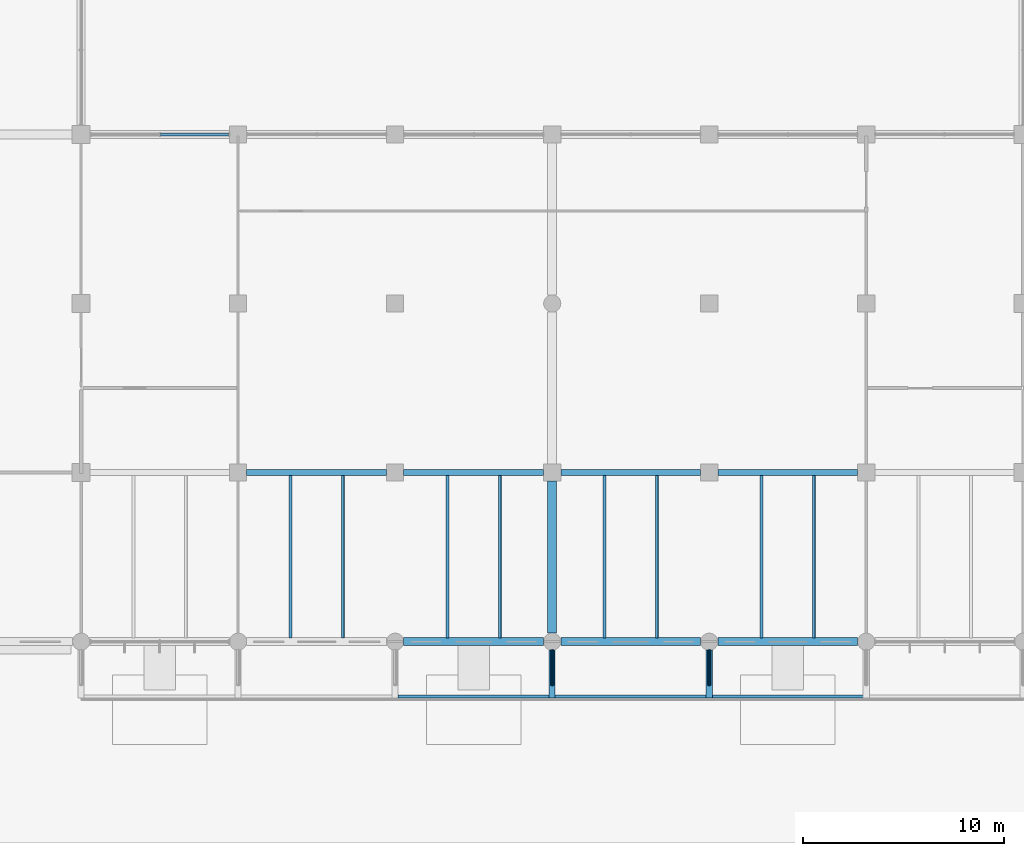
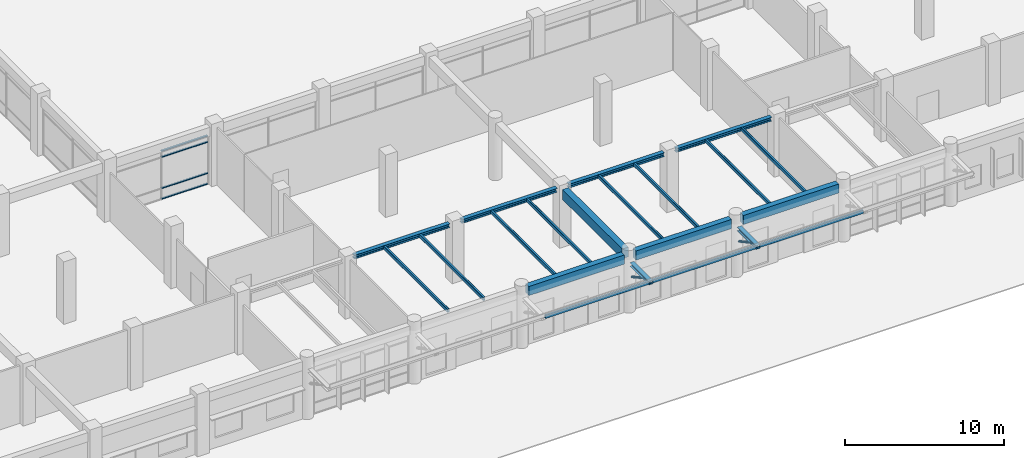
# One storey, part 11 of 74: 21 beams, 6 members, 1 element without a shape of its own.
"""IFC4 building model written with IfcOpenShell, lengths in metres."""

from ifc_helpers import new_model, si_unit, direction, frame, origin, origin_2d, place, context, subcontext, project, spatial, rectangle, hollow_rectangle, hollow_circle, i_section, extrude, material, material_profile, profile_set, type_object, element, aggregate, save


model = new_model("IFC4")

# Units and contexts
model_context = context("Model", 3, precision=1e-05, world=origin(), true_north=direction((0.0, 1.0)))
body_context = subcontext(model_context, "Body", "Model", "MODEL_VIEW")
ifc_project = project(units=[si_unit("LENGTHUNIT", "METRE"), si_unit("AREAUNIT", "SQUARE_METRE"), si_unit("VOLUMEUNIT", "CUBIC_METRE"), si_unit("PLANEANGLEUNIT", "RADIAN"), si_unit("MASSUNIT", "GRAM", prefix="KILO"), si_unit("THERMODYNAMICTEMPERATUREUNIT", "KELVIN"), si_unit("POWERUNIT", "WATT")], contexts=[model_context])

# Site, building, storey
site_placement = place(None, origin())
site = spatial("IfcSite", under=ifc_project, at=site_placement, CompositionType="ELEMENT")
building_placement = place(site_placement, origin())
building = spatial("IfcBuilding", under=site, at=building_placement, Name="Srebrne Nadtorze General Hospital", CompositionType="ELEMENT")
storey_placement = place(building_placement, origin())
storey = spatial("IfcBuildingStorey", under=building, at=storey_placement, Name="L00", CompositionType="ELEMENT", Elevation=0.0)

# Members
ifc_material_1 = material(Name="Steel S355J2", Category="steel")
ifc_material_profile_1 = material_profile(ifc_material_1, hollow_circle(Radius=0.084228515625, WallThickness=0.00634765625, at=origin_2d()), Name="CHS-168.3x6.3")
ifc_profile_set_1 = profile_set([ifc_material_profile_1], Name="Steel S355J2")
member_type_1 = type_object("IfcMemberType", Name="Canopy strut CHS 168.3x6.3", PredefinedType="STRUT", material=ifc_profile_set_1)
for number, where, z_axis, x_axis, name in (
    (1, (78.0, -0.4150390625, 2.75), (0.0, -0.876023229462, 0.482268909887), (1.0, 0.0, 0.0), "South entrance canopy strut 4"),
    (2, (85.800048828125, -0.4150390625, 2.75), (0.0, -0.876023229462, 0.482268909887), (1.0, 0.0, 0.0), "South entrance canopy strut 5"),
):
    element("IfcMember", number, at=place(storey_placement, frame(where, z_axis=z_axis, x_axis=x_axis)), inside=storey, type_object=member_type_1, Name=name, PredefinedType="STRUT", context=body_context, shape_type="SweptSolid", body=[
        extrude(hollow_circle(Radius=0.084228515625, WallThickness=0.00634765625, at=origin_2d()), origin(), (0.0, 0.0, 1.0), 1.98046875),
    ])

# Curtain wall, members
ifc_material_2 = material(Name="Anodised Aluminium", Category="aluminium")
curtain_wall_type = type_object("IfcCurtainWallType", Name="Unitised curtain wall 6925x3750", PredefinedType="NOTDEFINED", material=ifc_material_2)
curtain_wall_placement = place(storey_placement, origin())
curtain_wall = element("IfcCurtainWall", 3, at=curtain_wall_placement, inside=storey, type_object=curtain_wall_type, Name="Curtain wall CW-005", PredefinedType="NOTDEFINED")
ifc_material_3 = material(Name="Anodised Aluminium", Category="aluminium")
ifc_material_profile_2 = material_profile(ifc_material_3, hollow_rectangle(XDim=0.06494140625, YDim=0.139892578125, WallThickness=0.00390625, at=origin_2d()), Name="AL-TRN-65x140")
ifc_profile_set_2 = profile_set([ifc_material_profile_2], Name="Anodised Aluminium")
member_type_2 = type_object("IfcMemberType", Name="Curtain transom 65x140", PredefinedType="USERDEFINED", material=ifc_profile_set_2)
member_1_placement = place(storey_placement, frame((58.544921875, 25.199951171875, 0.032470703125), z_axis=(1.0, 0.0, 0.0), x_axis=(0.0, 0.0, 1.0)))
member_1 = element("IfcMember", 4, at=member_1_placement, type_object=member_type_2, Name="CW-005 transom 2.1", ObjectType="TRANSOM", PredefinedType="USERDEFINED", context=body_context, shape_type="SweptSolid", body=[
    extrude(hollow_rectangle(XDim=0.06494140625, YDim=0.139892578125, WallThickness=0.00390625, at=origin_2d()), origin(), (0.0, 0.0, 1.0), 3.364990234375),
])
member_2_placement = place(storey_placement, frame((58.544921875, 25.199951171875, 0.85009765625), z_axis=(1.0, 0.0, 0.0), x_axis=(0.0, 0.0, 1.0)))
member_2 = element("IfcMember", 5, at=member_2_placement, type_object=member_type_2, Name="CW-005 transom 2.2", ObjectType="TRANSOM", PredefinedType="USERDEFINED", context=body_context, shape_type="SweptSolid", body=[
    extrude(hollow_rectangle(XDim=0.06494140625, YDim=0.139892578125, WallThickness=0.00390625, at=origin_2d()), origin(), (0.0, 0.0, 1.0), 3.364990234375),
])
member_3_placement = place(storey_placement, frame((58.544921875, 25.199951171875, 3.25), z_axis=(1.0, 0.0, 0.0), x_axis=(0.0, 0.0, 1.0)))
member_3 = element("IfcMember", 6, at=member_3_placement, type_object=member_type_2, Name="CW-005 transom 2.3", ObjectType="TRANSOM", PredefinedType="USERDEFINED", context=body_context, shape_type="SweptSolid", body=[
    extrude(hollow_rectangle(XDim=0.06494140625, YDim=0.139892578125, WallThickness=0.00390625, at=origin_2d()), origin(), (0.0, 0.0, 1.0), 3.364990234375),
])
member_4_placement = place(storey_placement, frame((58.544921875, 25.199951171875, 3.717529296875), z_axis=(1.0, 0.0, 0.0), x_axis=(0.0, 0.0, 1.0)))
member_4 = element("IfcMember", 7, at=member_4_placement, type_object=member_type_2, Name="CW-005 transom 2.4", ObjectType="TRANSOM", PredefinedType="USERDEFINED", context=body_context, shape_type="SweptSolid", body=[
    extrude(hollow_rectangle(XDim=0.06494140625, YDim=0.139892578125, WallThickness=0.00390625, at=origin_2d()), origin(), (0.0, 0.0, 1.0), 3.364990234375),
])
aggregate(curtain_wall, [member_1, member_2, member_3, member_4])

# Beams
ifc_material_4 = material(Name="Concrete C40/50", Category="concrete")
ifc_material_profile_3 = material_profile(ifc_material_4, rectangle(XDim=0.39990234375, YDim=0.699951171875, at=origin_2d()), Name="RC-BM-400x700")
ifc_profile_set_3 = profile_set([ifc_material_profile_3], Name="Concrete C40/50")
beam_type_1 = type_object("IfcBeamType", Name="Edge beam RC 400x700", PredefinedType="BEAM", material=ifc_profile_set_3)
for number, where, z_axis, x_axis, name in (
    (8, (70.625, 0.0, 4.10009765625), (1.0, 0.0, 0.0), (0.0, 1.0, 0.0), "Beam BM-L00-X-0187"),
    (9, (78.425048828125, 0.0, 4.10009765625), (1.0, 0.0, 0.0), (0.0, 1.0, 0.0), "Beam BM-L00-X-0188"),
    (10, (86.22509765625, 0.0, 4.10009765625), (1.0, 0.0, 0.0), (0.0, 1.0, 0.0), "Beam BM-L00-X-0189"),
):
    element("IfcBeam", number, at=place(storey_placement, frame(where, z_axis=z_axis, x_axis=x_axis)), inside=storey, type_object=beam_type_1, Name=name, PredefinedType="BEAM", context=body_context, shape_type="SweptSolid", body=[
        extrude(rectangle(XDim=0.39990234375, YDim=0.699951171875, at=origin_2d()), origin(), (0.0, 0.0, 1.0), 6.949951171875),
    ])
ifc_material_5 = material(Name="Steel S355J2", Category="steel")
ifc_material_profile_4 = material_profile(ifc_material_5, hollow_rectangle(XDim=0.14990234375, YDim=0.25, WallThickness=0.010009765625, InnerFilletRadius=0.010009765625, OuterFilletRadius=0.014892578125, at=origin_2d()), Name="RHS-250x150x10")
ifc_profile_set_4 = profile_set([ifc_material_profile_4], Name="Steel S355J2")
beam_type_2 = type_object("IfcBeamType", Name="Hollow canopy beam RHS 250x150x10", PredefinedType="HOLLOWCORE", material=ifc_profile_set_4)
for number, where, z_axis, x_axis, name in (
    (11, (65.0, 0.195068359375, 4.324951171875), (0.0, 1.0, 0.0), (-1.0, 0.0, 0.0), "Hollow canopy beam SH-L00-02-1"),
    (12, (67.60009765625, 0.195068359375, 4.324951171875), (0.0, 1.0, 0.0), (-1.0, 0.0, 0.0), "Hollow canopy beam SH-L00-02-2"),
    (13, (72.800048828125, 0.195068359375, 4.324951171875), (0.0, 1.0, 0.0), (-1.0, 0.0, 0.0), "Hollow canopy beam SH-L00-03-1"),
    (14, (75.39990234375, 0.195068359375, 4.324951171875), (0.0, 1.0, 0.0), (-1.0, 0.0, 0.0), "Hollow canopy beam SH-L00-03-2"),
    (15, (80.60009765625, 0.195068359375, 4.324951171875), (0.0, 1.0, 0.0), (-1.0, 0.0, 0.0), "Hollow canopy beam SH-L00-04-1"),
    (16, (83.199951171875, 0.195068359375, 4.324951171875), (0.0, 1.0, 0.0), (-1.0, 0.0, 0.0), "Hollow canopy beam SH-L00-04-2"),
    (17, (88.39990234375, 0.195068359375, 4.324951171875), (0.0, 1.0, 0.0), (-1.0, 0.0, 0.0), "Hollow canopy beam SH-L00-05-1"),
    (18, (91.0, 0.195068359375, 4.324951171875), (0.0, 1.0, 0.0), (-1.0, 0.0, 0.0), "Hollow canopy beam SH-L00-05-2"),
):
    element("IfcBeam", number, at=place(storey_placement, frame(where, z_axis=z_axis, x_axis=x_axis)), inside=storey, type_object=beam_type_2, Name=name, PredefinedType="HOLLOWCORE", context=body_context, shape_type="SweptSolid", body=[
        extrude(hollow_rectangle(XDim=0.14990234375, YDim=0.25, WallThickness=0.010009765625, InnerFilletRadius=0.010009765625, OuterFilletRadius=0.014892578125, at=origin_2d()), origin(), (0.0, 0.0, 1.0), 8.059814453125),
    ])
for number, where, z_axis, x_axis, name in (
    (19, (70.340087890625, -2.719970703125, 3.77490234375), (1.0, 0.0, 0.0), (0.0, 1.0, 0.0), "South entrance canopy fascia beam 3"),
    (20, (78.139892578125, -2.719970703125, 3.77490234375), (1.0, 0.0, 0.0), (0.0, 1.0, 0.0), "South entrance canopy fascia beam 4"),
    (21, (85.93994140625, -2.719970703125, 3.77490234375), (1.0, 0.0, 0.0), (0.0, 1.0, 0.0), "South entrance canopy fascia beam 5"),
):
    element("IfcBeam", number, at=place(storey_placement, frame(where, z_axis=z_axis, x_axis=x_axis)), inside=storey, type_object=beam_type_2, Name=name, PredefinedType="HOLLOWCORE", context=body_context, shape_type="SweptSolid", body=[
        extrude(hollow_rectangle(XDim=0.14990234375, YDim=0.25, WallThickness=0.010009765625, InnerFilletRadius=0.010009765625, OuterFilletRadius=0.014892578125, at=origin_2d()), origin(), (0.0, 0.0, 1.0), 7.52001953125),
    ])
ifc_material_6 = material(Name="Steel S355J2", Category="steel")
ifc_material_profile_5 = material_profile(ifc_material_6, i_section(OverallWidth=0.300048828125, OverallDepth=0.2900390625, WebThickness=0.008544921875, FlangeThickness=0.013916015625, FilletRadius=0.027099609375, at=origin_2d()), Name="HEA-300")
ifc_profile_set_5 = profile_set([ifc_material_profile_5], Name="Steel S355J2")
beam_type_3 = type_object("IfcBeamType", Name="Primary beam HEA 300", PredefinedType="BEAM", material=ifc_profile_set_5)
for number, where, z_axis, x_axis, name in (
    (22, (62.824951171875, 8.39990234375, 4.304931640625), (1.0, 0.0, 0.0), (0.0, 1.0, 0.0), "Main hall gallery collector beam 2"),
    (23, (70.625, 8.39990234375, 4.304931640625), (1.0, 0.0, 0.0), (0.0, 1.0, 0.0), "Main hall gallery collector beam 3"),
    (24, (78.425048828125, 8.39990234375, 4.304931640625), (1.0, 0.0, 0.0), (0.0, 1.0, 0.0), "Main hall gallery collector beam 4"),
    (25, (86.22509765625, 8.39990234375, 4.304931640625), (1.0, 0.0, 0.0), (0.0, 1.0, 0.0), "Main hall gallery collector beam 5"),
):
    element("IfcBeam", number, at=place(storey_placement, frame(where, z_axis=z_axis, x_axis=x_axis)), inside=storey, type_object=beam_type_3, Name=name, PredefinedType="BEAM", context=body_context, shape_type="SweptSolid", body=[
        extrude(i_section(OverallWidth=0.300048828125, OverallDepth=0.2900390625, WebThickness=0.008544921875, FlangeThickness=0.013916015625, FilletRadius=0.027099609375, at=origin_2d()), origin(), (0.0, 0.0, 1.0), 6.949951171875),
    ])
for number, where, z_axis, x_axis, name in (
    (26, (78.0, -0.4150390625, 3.7548828125), (0.0, -1.0, 0.0), (1.0, 0.0, 0.0), "South entrance canopy girder 4"),
    (27, (85.800048828125, -0.4150390625, 3.7548828125), (0.0, -1.0, 0.0), (1.0, 0.0, 0.0), "South entrance canopy girder 5"),
):
    element("IfcBeam", number, at=place(storey_placement, frame(where, z_axis=z_axis, x_axis=x_axis)), inside=storey, type_object=beam_type_3, Name=name, PredefinedType="BEAM", context=body_context, shape_type="SweptSolid", body=[
        extrude(i_section(OverallWidth=0.300048828125, OverallDepth=0.2900390625, WebThickness=0.008544921875, FlangeThickness=0.013916015625, FilletRadius=0.027099609375, at=origin_2d()), origin(), (0.0, 0.0, 1.0), 2.385009765625),
    ])
ifc_material_7 = material(Name="Concrete C40/50", Category="concrete")
ifc_material_profile_6 = material_profile(ifc_material_7, rectangle(XDim=0.449951171875, YDim=0.75, at=origin_2d()), Name="RC-BM-450x750")
ifc_profile_set_6 = profile_set([ifc_material_profile_6], Name="Concrete C40/50")
beam_type_4 = type_object("IfcBeamType", Name="Primary beam RC 450x750", PredefinedType="BEAM", material=ifc_profile_set_6)
beam_placement = place(storey_placement, frame((78.0, 0.425048828125, 4.074951171875), z_axis=(0.0, 1.0, 0.0), x_axis=(-1.0, 0.0, 0.0)))
element("IfcBeam", 28, at=beam_placement, inside=storey, type_object=beam_type_4, Name="Beam BM-L00-Y-0314", PredefinedType="BEAM", context=body_context, shape_type="SweptSolid", body=[
    extrude(rectangle(XDim=0.449951171875, YDim=0.75, at=origin_2d()), origin(), (0.0, 0.0, 1.0), 7.550048828125),
])

save(model, "model.ifc")
